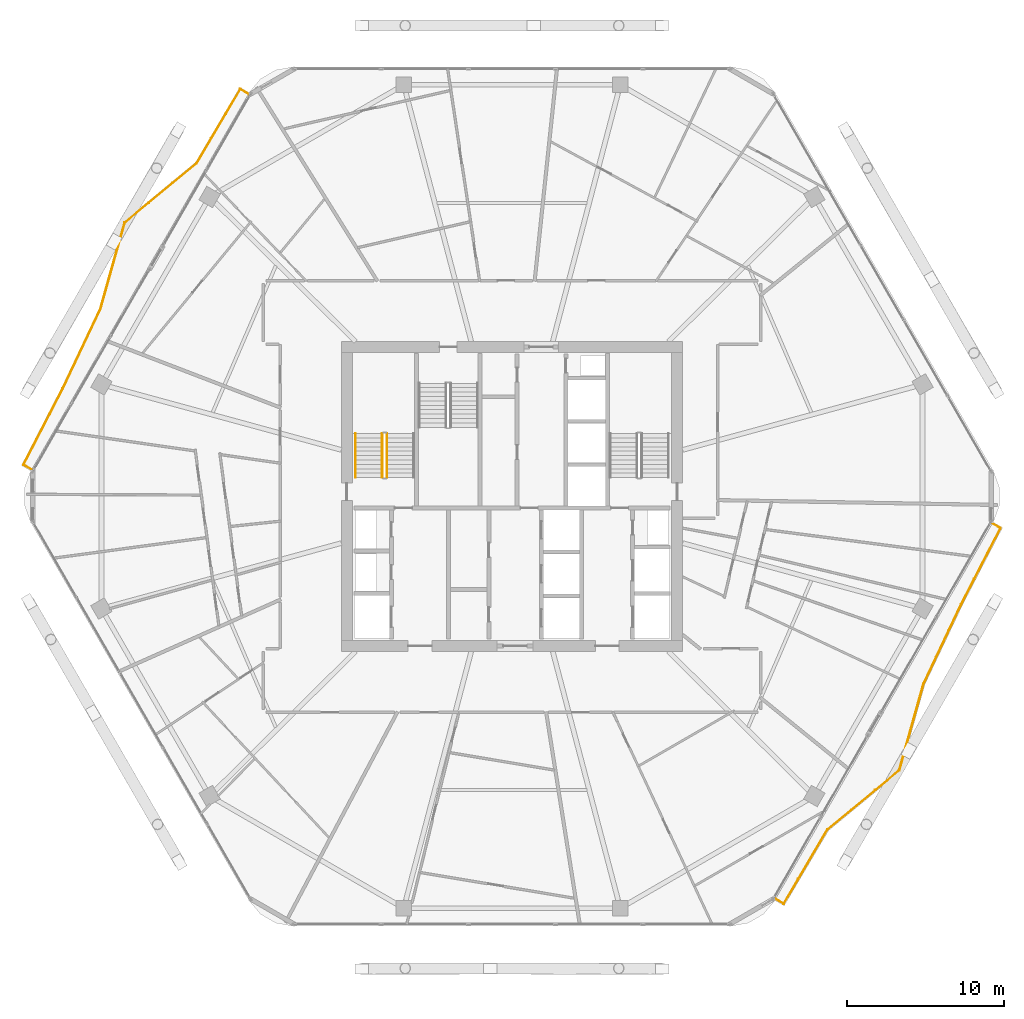
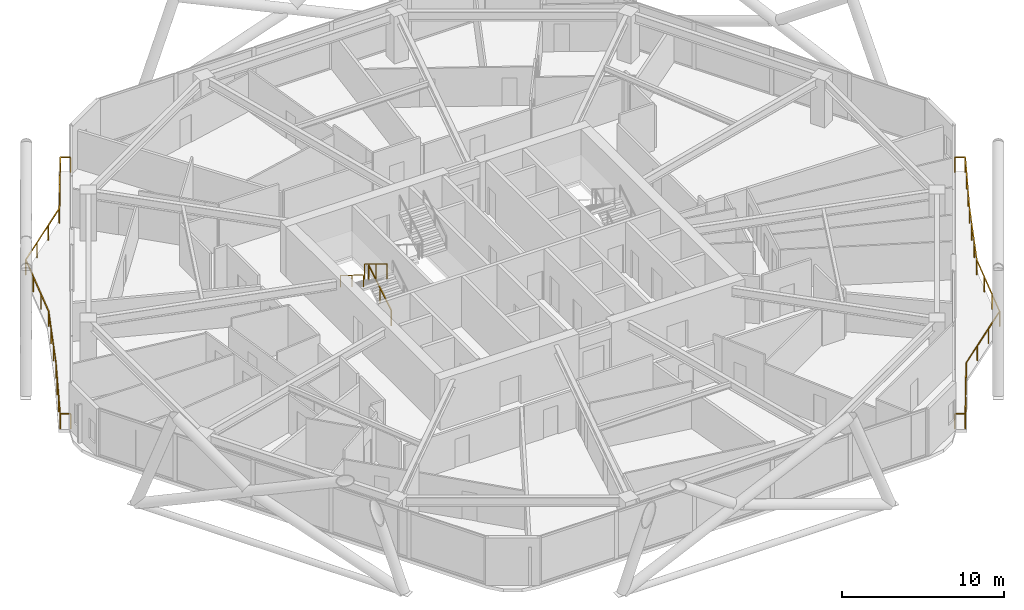
# One storey, part 29 of 30: 5 railings.
"""IFC4 building model written with IfcOpenShell, lengths in metres."""

from ifc_helpers import new_model, si_unit, direction, frame, origin, origin_2d, place, context, subcontext, project, spatial, rectangle, extrude, material, type_object, element, save


model = new_model("IFC4")

# Units and contexts
model_context = context("Model", 3, precision=1e-05, world=origin(), true_north=direction((0.0, 1.0)))
body_context = subcontext(model_context, "Body", "Model", "MODEL_VIEW")
ifc_project = project(units=[si_unit("LENGTHUNIT", "METRE"), si_unit("AREAUNIT", "SQUARE_METRE"), si_unit("VOLUMEUNIT", "CUBIC_METRE"), si_unit("PLANEANGLEUNIT", "RADIAN"), si_unit("MASSUNIT", "GRAM", prefix="KILO")], contexts=[model_context])

# Site, building, storey
site_placement = place(None, origin())
site = spatial("IfcSite", under=ifc_project, at=site_placement, CompositionType="ELEMENT")
building_placement = place(site_placement, origin())
building = spatial("IfcBuilding", under=site, at=building_placement, Name="Zuhravey Tower", CompositionType="ELEMENT")
storey_placement = place(building_placement, frame((0.0, 0.0, 177.0)))
storey = spatial("IfcBuildingStorey", under=building, at=storey_placement, Name="L44", CompositionType="ELEMENT", Elevation=177.0)

# Railings
ifc_material_1 = material(Name="Stainless steel 316 and laminated glass", Category="steel")
railing_type_1 = type_object("IfcRailingType", Name="Balcony & Terrace Guardrail 1150", PredefinedType="BALUSTRADE", material=ifc_material_1)
railing_1_placement = place(storey_placement, frame((5.489990234375, 33.691650390625, 0.0)))
element("IfcRailing", 1, at=railing_1_placement, inside=storey, type_object=railing_type_1, Name="L44 Face 3 Wave Balcony Guardrail GR1", PredefinedType="BALUSTRADE", context=body_context, shape_type="SweptSolid", body=[
    extrude(rectangle(XDim=0.048095703125, YDim=0.048095703125, at=origin_2d()), frame((-0.001708984375, 0.0009765625, 1.1259765625), z_axis=(-0.865996321171, 0.50005036918, 0.0), x_axis=(-0.50005036918, -0.865996321171, 0.0)), (0.0, 0.0, 1.0), 0.640380859375),
    extrude(rectangle(XDim=0.048095703125, YDim=0.048095703125, at=origin_2d()), frame((-0.55712890625, 0.323974609375, 1.1259765625), z_axis=(0.458641782542, 0.88862124401, 0.0), x_axis=(-0.88862124401, 0.458641782542, 0.0)), (0.0, 0.0, 1.0), 5.46435546875),
    extrude(rectangle(XDim=0.048095703125, YDim=0.048095703125, at=origin_2d()), frame((1.950927734375, 5.183349609375, 1.1259765625), z_axis=(0.428138964924, 0.903712911667, 0.0), x_axis=(-0.903712911667, 0.428138964924, 0.0)), (0.0, 0.0, 1.0), 5.580322265625),
    extrude(rectangle(XDim=0.048095703125, YDim=0.048095703125, at=origin_2d()), frame((4.34130859375, 10.230224609375, 1.1259765625), z_axis=(0.270800053219, 0.962635617031, 0.0), x_axis=(-0.962635617031, 0.270800053219, 0.0)), (0.0, 0.0, 1.0), 5.70654296875),
    extrude(rectangle(XDim=0.048095703125, YDim=0.048095703125, at=origin_2d()), frame((5.888671875, 15.7265625, 1.1259765625), z_axis=(0.771451248074, 0.636288434474, 0.0), x_axis=(-0.636288434474, 0.771451248074, 0.0)), (0.0, 0.0, 1.0), 5.913330078125),
    extrude(rectangle(XDim=0.048095703125, YDim=0.048095703125, at=origin_2d()), frame((10.453125, 19.4921875, 1.1259765625), z_axis=(0.508311597383, 0.861173222973, 0.0), x_axis=(-0.861173222973, 0.508311597383, 0.0)), (0.0, 0.0, 1.0), 5.470947265625),
    extrude(rectangle(XDim=0.048095703125, YDim=0.048095703125, at=origin_2d()), frame((13.23681640625, 24.204345703125, 1.1259765625), z_axis=(0.865912741691, -0.500195085719, 0.0), x_axis=(0.500195085719, 0.865912741691, 0.0)), (0.0, 0.0, 1.0), 0.636962890625),
    extrude(rectangle(XDim=0.0419921875, YDim=0.0419921875, at=origin_2d()), origin(), (0.0, 0.0, 1.0), 1.099853515625),
    extrude(rectangle(XDim=0.0419921875, YDim=0.0419921875, at=origin_2d()), frame((-0.55810546875, 0.322265625, 0.0)), (0.0, 0.0, 1.0), 1.099853515625),
    extrude(rectangle(XDim=0.0419921875, YDim=0.0419921875, at=origin_2d()), frame((0.27783203125, 1.942138671875, 0.0)), (0.0, 0.0, 1.0), 1.099853515625),
    extrude(rectangle(XDim=0.0419921875, YDim=0.0419921875, at=origin_2d()), frame((1.114013671875, 3.561767578125, 0.0)), (0.0, 0.0, 1.0), 1.099853515625),
    extrude(rectangle(XDim=0.0419921875, YDim=0.0419921875, at=origin_2d()), frame((1.949951171875, 5.181640625, 0.0)), (0.0, 0.0, 1.0), 1.099853515625),
    extrude(rectangle(XDim=0.0419921875, YDim=0.0419921875, at=origin_2d()), frame((2.746826171875, 6.86376953125, 0.0)), (0.0, 0.0, 1.0), 1.099853515625),
    extrude(rectangle(XDim=0.0419921875, YDim=0.0419921875, at=origin_2d()), frame((3.5439453125, 8.546142578125, 0.0)), (0.0, 0.0, 1.0), 1.099853515625),
    extrude(rectangle(XDim=0.0419921875, YDim=0.0419921875, at=origin_2d()), frame((4.3408203125, 10.228271484375, 0.0)), (0.0, 0.0, 1.0), 1.099853515625),
    extrude(rectangle(XDim=0.0419921875, YDim=0.0419921875, at=origin_2d()), frame((4.856201171875, 12.060546875, 0.0)), (0.0, 0.0, 1.0), 1.099853515625),
    extrude(rectangle(XDim=0.0419921875, YDim=0.0419921875, at=origin_2d()), frame((5.371826171875, 13.89306640625, 0.0)), (0.0, 0.0, 1.0), 1.099853515625),
    extrude(rectangle(XDim=0.0419921875, YDim=0.0419921875, at=origin_2d()), frame((5.88720703125, 15.725341796875, 0.0)), (0.0, 0.0, 1.0), 1.099853515625),
    extrude(rectangle(XDim=0.0419921875, YDim=0.0419921875, at=origin_2d()), frame((7.408935546875, 16.98046875, 0.0)), (0.0, 0.0, 1.0), 1.099853515625),
    extrude(rectangle(XDim=0.0419921875, YDim=0.0419921875, at=origin_2d()), frame((8.930419921875, 18.2353515625, 0.0)), (0.0, 0.0, 1.0), 1.099853515625),
    extrude(rectangle(XDim=0.0419921875, YDim=0.0419921875, at=origin_2d()), frame((10.4521484375, 19.490478515625, 0.0)), (0.0, 0.0, 1.0), 1.099853515625),
    extrude(rectangle(XDim=0.0419921875, YDim=0.0419921875, at=origin_2d()), frame((11.3798828125, 21.06201171875, 0.0)), (0.0, 0.0, 1.0), 1.099853515625),
    extrude(rectangle(XDim=0.0419921875, YDim=0.0419921875, at=origin_2d()), frame((12.307373046875, 22.6337890625, 0.0)), (0.0, 0.0, 1.0), 1.099853515625),
    extrude(rectangle(XDim=0.0419921875, YDim=0.0419921875, at=origin_2d()), frame((13.235107421875, 24.205322265625, 0.0)), (0.0, 0.0, 1.0), 1.099853515625),
    extrude(rectangle(XDim=0.0419921875, YDim=0.0419921875, at=origin_2d()), frame((13.7900390625, 23.884765625, 0.0)), (0.0, 0.0, 1.0), 1.099853515625),
])
railing_2_placement = place(storey_placement, frame((66.510009765625, 30.308349609375, 0.0)))
element("IfcRailing", 2, at=railing_2_placement, inside=storey, type_object=railing_type_1, Name="L44 Face 6 Wave Balcony Guardrail GR1", PredefinedType="BALUSTRADE", context=body_context, shape_type="SweptSolid", body=[
    extrude(rectangle(XDim=0.048095703125, YDim=0.048095703125, at=origin_2d()), frame((0.001708984375, -0.0009765625, 1.1259765625), z_axis=(0.865996321171, -0.50005036918, 0.0), x_axis=(0.50005036918, 0.865996321171, 0.0)), (0.0, 0.0, 1.0), 0.640380859375),
    extrude(rectangle(XDim=0.048095703125, YDim=0.048095703125, at=origin_2d()), frame((0.55712890625, -0.323974609375, 1.1259765625), z_axis=(-0.458641782542, -0.88862124401, 0.0), x_axis=(0.88862124401, -0.458641782542, 0.0)), (0.0, 0.0, 1.0), 5.46435546875),
    extrude(rectangle(XDim=0.048095703125, YDim=0.048095703125, at=origin_2d()), frame((-1.950927734375, -5.183349609375, 1.1259765625), z_axis=(-0.428138964924, -0.903712911667, 0.0), x_axis=(0.903712911667, -0.428138964924, 0.0)), (0.0, 0.0, 1.0), 5.580322265625),
    extrude(rectangle(XDim=0.048095703125, YDim=0.048095703125, at=origin_2d()), frame((-4.34130859375, -10.230224609375, 1.1259765625), z_axis=(-0.270800053219, -0.962635617031, 0.0), x_axis=(0.962635617031, -0.270800053219, 0.0)), (0.0, 0.0, 1.0), 5.70654296875),
    extrude(rectangle(XDim=0.048095703125, YDim=0.048095703125, at=origin_2d()), frame((-5.888671875, -15.7265625, 1.1259765625), z_axis=(-0.771451248074, -0.636288434474, 0.0), x_axis=(0.636288434474, -0.771451248074, 0.0)), (0.0, 0.0, 1.0), 5.913330078125),
    extrude(rectangle(XDim=0.048095703125, YDim=0.048095703125, at=origin_2d()), frame((-10.453125, -19.4921875, 1.1259765625), z_axis=(-0.508311597383, -0.861173222973, 0.0), x_axis=(0.861173222973, -0.508311597383, 0.0)), (0.0, 0.0, 1.0), 5.470947265625),
    extrude(rectangle(XDim=0.048095703125, YDim=0.048095703125, at=origin_2d()), frame((-13.23681640625, -24.204345703125, 1.1259765625), z_axis=(-0.865912741691, 0.500195085719, 0.0), x_axis=(-0.500195085719, -0.865912741691, 0.0)), (0.0, 0.0, 1.0), 0.636962890625),
    extrude(rectangle(XDim=0.0419921875, YDim=0.0419921875, at=origin_2d()), origin(), (0.0, 0.0, 1.0), 1.099853515625),
    extrude(rectangle(XDim=0.0419921875, YDim=0.0419921875, at=origin_2d()), frame((0.55810546875, -0.322265625, 0.0)), (0.0, 0.0, 1.0), 1.099853515625),
    extrude(rectangle(XDim=0.0419921875, YDim=0.0419921875, at=origin_2d()), frame((-0.27783203125, -1.942138671875, 0.0)), (0.0, 0.0, 1.0), 1.099853515625),
    extrude(rectangle(XDim=0.0419921875, YDim=0.0419921875, at=origin_2d()), frame((-1.114013671875, -3.561767578125, 0.0)), (0.0, 0.0, 1.0), 1.099853515625),
    extrude(rectangle(XDim=0.0419921875, YDim=0.0419921875, at=origin_2d()), frame((-1.949951171875, -5.181640625, 0.0)), (0.0, 0.0, 1.0), 1.099853515625),
    extrude(rectangle(XDim=0.0419921875, YDim=0.0419921875, at=origin_2d()), frame((-2.746826171875, -6.86376953125, 0.0)), (0.0, 0.0, 1.0), 1.099853515625),
    extrude(rectangle(XDim=0.0419921875, YDim=0.0419921875, at=origin_2d()), frame((-3.5439453125, -8.546142578125, 0.0)), (0.0, 0.0, 1.0), 1.099853515625),
    extrude(rectangle(XDim=0.0419921875, YDim=0.0419921875, at=origin_2d()), frame((-4.3408203125, -10.228271484375, 0.0)), (0.0, 0.0, 1.0), 1.099853515625),
    extrude(rectangle(XDim=0.0419921875, YDim=0.0419921875, at=origin_2d()), frame((-4.856201171875, -12.060546875, 0.0)), (0.0, 0.0, 1.0), 1.099853515625),
    extrude(rectangle(XDim=0.0419921875, YDim=0.0419921875, at=origin_2d()), frame((-5.371826171875, -13.89306640625, 0.0)), (0.0, 0.0, 1.0), 1.099853515625),
    extrude(rectangle(XDim=0.0419921875, YDim=0.0419921875, at=origin_2d()), frame((-5.88720703125, -15.725341796875, 0.0)), (0.0, 0.0, 1.0), 1.099853515625),
    extrude(rectangle(XDim=0.0419921875, YDim=0.0419921875, at=origin_2d()), frame((-7.408935546875, -16.98046875, 0.0)), (0.0, 0.0, 1.0), 1.099853515625),
    extrude(rectangle(XDim=0.0419921875, YDim=0.0419921875, at=origin_2d()), frame((-8.930419921875, -18.2353515625, 0.0)), (0.0, 0.0, 1.0), 1.099853515625),
    extrude(rectangle(XDim=0.0419921875, YDim=0.0419921875, at=origin_2d()), frame((-10.4521484375, -19.490478515625, 0.0)), (0.0, 0.0, 1.0), 1.099853515625),
    extrude(rectangle(XDim=0.0419921875, YDim=0.0419921875, at=origin_2d()), frame((-11.3798828125, -21.06201171875, 0.0)), (0.0, 0.0, 1.0), 1.099853515625),
    extrude(rectangle(XDim=0.0419921875, YDim=0.0419921875, at=origin_2d()), frame((-12.307373046875, -22.6337890625, 0.0)), (0.0, 0.0, 1.0), 1.099853515625),
    extrude(rectangle(XDim=0.0419921875, YDim=0.0419921875, at=origin_2d()), frame((-13.235107421875, -24.205322265625, 0.0)), (0.0, 0.0, 1.0), 1.099853515625),
    extrude(rectangle(XDim=0.0419921875, YDim=0.0419921875, at=origin_2d()), frame((-13.7900390625, -23.884765625, 0.0)), (0.0, 0.0, 1.0), 1.099853515625),
])
ifc_material_2 = material(Name="Brushed stainless steel", Category="steel")
railing_type_2 = type_object("IfcRailingType", Name="Stair Wall Handrail 900", PredefinedType="HANDRAIL", material=ifc_material_2)
railing_3_placement = place(storey_placement, frame((26.050048828125, 36.0, 2.07275390625)))
element("IfcRailing", 3, at=railing_3_placement, inside=storey, type_object=railing_type_2, Name="L44 ST1 stair handrail 2", PredefinedType="HANDRAIL", context=body_context, shape_type="SweptSolid", body=[
    extrude(rectangle(XDim=0.048095703125, YDim=0.048095703125, at=origin_2d()), frame((0.0, -0.001708984375, 0.876953125), z_axis=(0.0, -0.851089632645, 0.525020415988), x_axis=(1.0, 0.0, 0.0)), (0.0, 0.0, 1.0), 3.285888671875),
    extrude(rectangle(XDim=0.0419921875, YDim=0.0419921875, at=origin_2d()), origin(), (0.0, 0.0, 1.0), 0.849853515625),
    extrude(rectangle(XDim=0.0419921875, YDim=0.0419921875, at=origin_2d()), frame((0.0, -1.39990234375, 0.86376953125)), (0.0, 0.0, 1.0), 0.849853515625),
    extrude(rectangle(XDim=0.0419921875, YDim=0.0419921875, at=origin_2d()), frame((0.0, -2.800048828125, 1.727294921875)), (0.0, 0.0, 1.0), 0.849853515625),
])
ifc_material_3 = material(Name="Painted tubular steel", Category="steel")
railing_type_3 = type_object("IfcRailingType", Name="Stair Well Guardrail 1150", PredefinedType="GUARDRAIL", material=ifc_material_3)
railing_4_placement = place(storey_placement, frame((28.050048828125, 33.199951171875, 0.172607421875)))
element("IfcRailing", 4, at=railing_4_placement, inside=storey, type_object=railing_type_3, Name="L44 ST1 stair guard 1", PredefinedType="GUARDRAIL", context=body_context, shape_type="SweptSolid", body=[
    extrude(rectangle(XDim=0.048095703125, YDim=0.048095703125, at=origin_2d()), frame((0.0, 0.001708984375, 1.126953125), z_axis=(0.0, 0.851089632645, 0.525020415988), x_axis=(-1.0, 0.0, 0.0)), (0.0, 0.0, 1.0), 3.285888671875),
    extrude(rectangle(XDim=0.0419921875, YDim=0.0419921875, at=origin_2d()), origin(), (0.0, 0.0, 1.0), 1.099853515625),
    extrude(rectangle(XDim=0.0419921875, YDim=0.0419921875, at=origin_2d()), frame((0.0, 1.39990234375, 0.86376953125)), (0.0, 0.0, 1.0), 1.099853515625),
    extrude(rectangle(XDim=0.0419921875, YDim=0.0419921875, at=origin_2d()), frame((0.0, 2.800048828125, 1.727294921875)), (0.0, 0.0, 1.0), 1.099853515625),
])
railing_5_placement = place(storey_placement, frame((27.75, 36.0, 2.07275390625)))
element("IfcRailing", 5, at=railing_5_placement, inside=storey, type_object=railing_type_3, Name="L44 ST1 stair guard 3", PredefinedType="GUARDRAIL", context=body_context, shape_type="SweptSolid", body=[
    extrude(rectangle(XDim=0.048095703125, YDim=0.048095703125, at=origin_2d()), frame((0.0, -0.001708984375, 1.126953125), z_axis=(0.0, -0.851089632645, 0.525020415988), x_axis=(1.0, 0.0, 0.0)), (0.0, 0.0, 1.0), 3.285888671875),
    extrude(rectangle(XDim=0.0419921875, YDim=0.0419921875, at=origin_2d()), origin(), (0.0, 0.0, 1.0), 1.099853515625),
    extrude(rectangle(XDim=0.0419921875, YDim=0.0419921875, at=origin_2d()), frame((0.0, -1.39990234375, 0.86376953125)), (0.0, 0.0, 1.0), 1.099853515625),
    extrude(rectangle(XDim=0.0419921875, YDim=0.0419921875, at=origin_2d()), frame((0.0, -2.800048828125, 1.727294921875)), (0.0, 0.0, 1.0), 1.099853515625),
])

save(model, "model.ifc")
